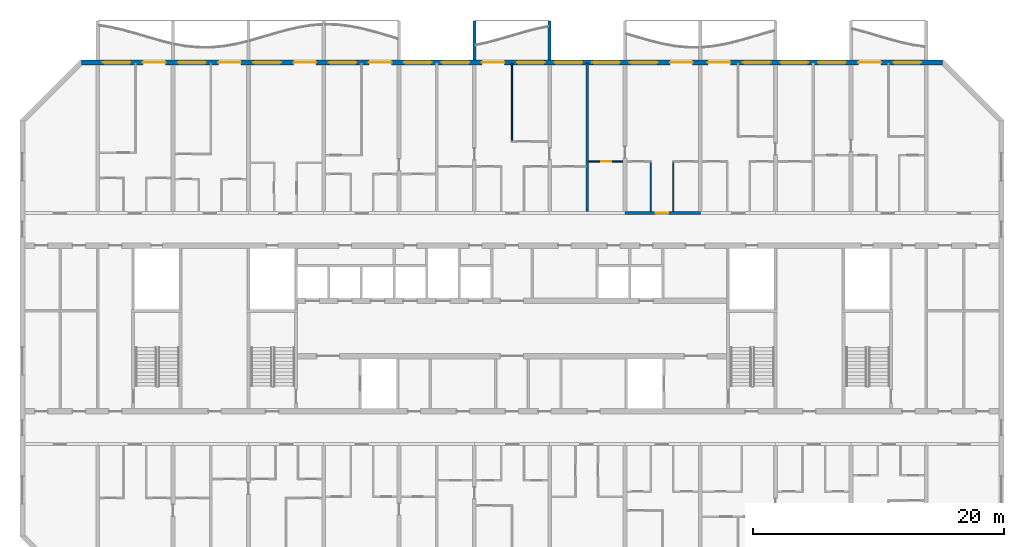
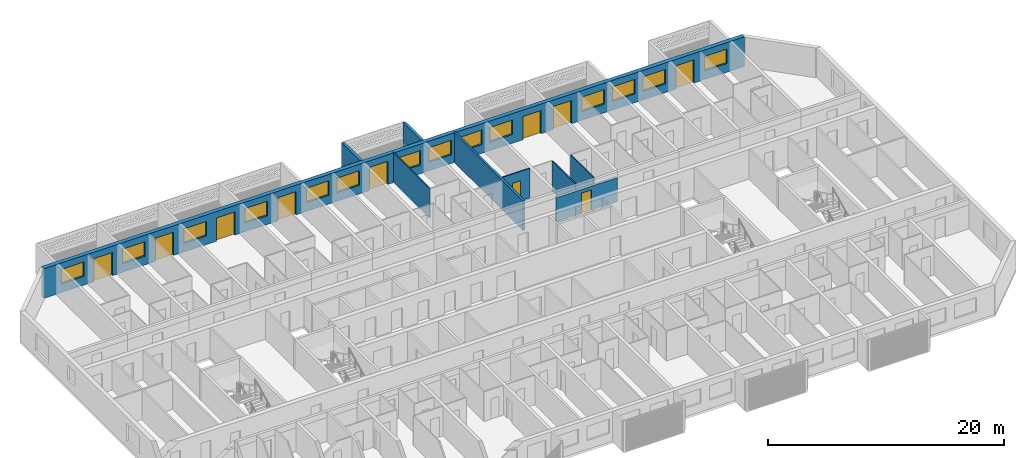
# One storey, part 10 of 32: 14 windows, 10 doors, 9 walls, 24 openings.
"""IFC4 building model written with IfcOpenShell, lengths in metres."""

from ifc_helpers import new_model, si_unit, direction, frame, frame_2d, origin, place, context, subcontext, project, spatial, polyline, rectangle, outline, extrude, source, transform, mapped, material, layer, layer_set, type_object, element, fill, save


model = new_model("IFC4")

# Units and contexts
model_context = context("Model", 3, precision=1e-05, world=origin(), true_north=direction((0.0, 1.0)))
body_context = subcontext(model_context, "Body", "Model", "MODEL_VIEW")
ifc_project = project(units=[si_unit("LENGTHUNIT", "METRE"), si_unit("AREAUNIT", "SQUARE_METRE"), si_unit("VOLUMEUNIT", "CUBIC_METRE"), si_unit("PLANEANGLEUNIT", "RADIAN"), si_unit("MASSUNIT", "GRAM", prefix="KILO")], contexts=[model_context])

# Site, building, storey
site_placement = place(None, origin())
site = spatial("IfcSite", under=ifc_project, at=site_placement, CompositionType="ELEMENT")
building_placement = place(site_placement, origin())
building = spatial("IfcBuilding", under=site, at=building_placement, Name="Poui Terraces", CompositionType="ELEMENT")
storey_placement = place(building_placement, frame((0.0, 0.0, 129.0)))
storey = spatial("IfcBuildingStorey", under=building, at=storey_placement, Name="L35", CompositionType="ELEMENT", Elevation=129.0)

# Wall, opening, door
ifc_material_1 = material(Name="Concrete 65 MPa", Category="concrete")
ifc_layer_1 = layer(ifc_material_1, 0.25)
ifc_layer_set_1 = layer_set([ifc_layer_1], Name="Concrete 65 MPa")
wall_type_1 = type_object("IfcWallType", Name="CORRIDOR WALL 250 65MPa", PredefinedType="SHEAR", material=ifc_layer_set_1)
wall_1_placement = place(storey_placement, frame((60.0, 30.39990234375, 0.0), z_axis=(0.0, 0.0, 1.0), x_axis=(1.0, 0.0, 0.0)))
wall_1 = element("IfcWall", 1, at=wall_1_placement, inside=storey, type_object=wall_type_1, Name="CORRIDOR WALL LINE E BAY 9", PredefinedType="SHEAR", context=body_context, shape_type="SweptSolid", body=[
    extrude(rectangle(XDim=6.0, YDim=0.25, at=frame_2d((3.0, 0.0))), origin(), (0.0, 0.0, 1.0), 2.469970703125),
])
opening_1_placement = place(wall_1_placement, frame((2.449951171875, 0.0, 0.0)))
opening_1 = element("IfcOpeningElement", 2, at=opening_1_placement, cuts=wall_1, Name="Opening FD30S", PredefinedType="OPENING", context=body_context, shape_type="SweptSolid", body=[
    extrude(rectangle(XDim=1.0, YDim=2.10009765625, at=frame_2d((0.5, 1.050048828125))), frame((0.0, 0.135009765625, 0.0), z_axis=(0.0, -1.0, 0.0), x_axis=(1.0, 0.0, 0.0)), (0.0, 0.0, 1.0), 0.27001953125),
])
ifc_material_2 = material(Name="Steel fire door", Category="steel")
door_type_1 = type_object("IfcDoorType", Name="FLAT ENTRANCE DOOR 1000 X 2100", OperationType="NOTDEFINED", PredefinedType="DOOR", material=ifc_material_2)
door_1_placement = place(opening_1_placement, origin())
door_1 = element("IfcDoor", 3, at=door_1_placement, inside=storey, type_object=door_type_1, Name="FLAT ENTRANCE DOOR 063", OperationType="SINGLE_SWING_LEFT", OverallHeight=2.10009765625, OverallWidth=1.0, PredefinedType="DOOR", context=body_context, shape_type="SweptSolid", body=[
    extrude(rectangle(XDim=1.0, YDim=2.10009765625, at=frame_2d((0.5, 1.050048828125))), frame((0.0, 0.02490234375, 0.0), z_axis=(0.0, -1.0, 0.0), x_axis=(1.0, 0.0, 0.0)), (0.0, 0.0, 1.0), 0.050048828125),
])
fill(opening_1, door_1)

# Wall, openings, doors, windows
ifc_material_3 = material(Name="Precast concrete 40 MPa", Category="concrete")
ifc_layer_2 = layer(ifc_material_3, 0.39990234375)
ifc_layer_set_2 = layer_set([ifc_layer_2], Name="Precast concrete 40 MPa")
wall_type_2 = type_object("IfcWallType", Name="EXTERNAL WALL 400", PredefinedType="STANDARD", material=ifc_layer_set_2)
wall_2_placement = place(storey_placement, frame((85.317138671875, 42.39990234375, 0.0), z_axis=(0.0, 0.0, 1.0), x_axis=(-1.0, 0.0, 0.0)))
wall_2 = element("IfcWall", 4, at=wall_2_placement, inside=storey, type_object=wall_type_2, Name="EXTERNAL WALL N", PredefinedType="STANDARD", context=body_context, shape_type="SweptSolid", body=[
    extrude(rectangle(XDim=68.63427734375, YDim=0.39990234375, at=frame_2d((34.317138671875, 0.0))), origin(), (0.0, 0.0, 1.0), 3.070068359375),
])
opening_2_placement = place(wall_2_placement, frame((64.71728515625, 0.0, 0.89990234375)))
opening_2 = element("IfcOpeningElement", 5, at=opening_2_placement, cuts=wall_2, Name="Opening W1", PredefinedType="OPENING", context=body_context, shape_type="SweptSolid", body=[
    extrude(rectangle(XDim=2.199951171875, YDim=1.5, at=frame_2d((1.10009765625, 0.75))), frame((0.0, 0.2099609375, 0.0), z_axis=(0.0, -1.0, 0.0), x_axis=(1.0, 0.0, 0.0)), (0.0, 0.0, 1.0), 0.419921875),
])
opening_3_placement = place(wall_2_placement, frame((61.917236328125, 0.0, 0.0)))
opening_3 = element("IfcOpeningElement", 6, at=opening_3_placement, cuts=wall_2, Name="Opening BD1", PredefinedType="OPENING", context=body_context, shape_type="SweptSolid", body=[
    extrude(rectangle(XDim=1.800048828125, YDim=2.39990234375, at=frame_2d((0.89990234375, 1.199951171875))), frame((0.0, 0.2099609375, 0.0), z_axis=(0.0, -1.0, 0.0), x_axis=(1.0, 0.0, 0.0)), (0.0, 0.0, 1.0), 0.419921875),
])
opening_4_placement = place(wall_2_placement, frame((58.71728515625, 0.0, 0.89990234375)))
opening_4 = element("IfcOpeningElement", 7, at=opening_4_placement, cuts=wall_2, Name="Opening W1", PredefinedType="OPENING", context=body_context, shape_type="SweptSolid", body=[
    extrude(rectangle(XDim=2.199951171875, YDim=1.5, at=frame_2d((1.10009765625, 0.75))), frame((0.0, 0.2099609375, 0.0), z_axis=(0.0, -1.0, 0.0), x_axis=(1.0, 0.0, 0.0)), (0.0, 0.0, 1.0), 0.419921875),
])
opening_5_placement = place(wall_2_placement, frame((55.917236328125, 0.0, 0.0)))
opening_5 = element("IfcOpeningElement", 8, at=opening_5_placement, cuts=wall_2, Name="Opening BD1", PredefinedType="OPENING", context=body_context, shape_type="SweptSolid", body=[
    extrude(rectangle(XDim=1.800048828125, YDim=2.39990234375, at=frame_2d((0.89990234375, 1.199951171875))), frame((0.0, 0.2099609375, 0.0), z_axis=(0.0, -1.0, 0.0), x_axis=(1.0, 0.0, 0.0)), (0.0, 0.0, 1.0), 0.419921875),
])
opening_6_placement = place(wall_2_placement, frame((52.71728515625, 0.0, 0.89990234375)))
opening_6 = element("IfcOpeningElement", 9, at=opening_6_placement, cuts=wall_2, Name="Opening W1", PredefinedType="OPENING", context=body_context, shape_type="SweptSolid", body=[
    extrude(rectangle(XDim=2.199951171875, YDim=1.5, at=frame_2d((1.10009765625, 0.75))), frame((0.0, 0.2099609375, 0.0), z_axis=(0.0, -1.0, 0.0), x_axis=(1.0, 0.0, 0.0)), (0.0, 0.0, 1.0), 0.419921875),
])
opening_7_placement = place(wall_2_placement, frame((49.917236328125, 0.0, 0.0)))
opening_7 = element("IfcOpeningElement", 10, at=opening_7_placement, cuts=wall_2, Name="Opening BD1", PredefinedType="OPENING", context=body_context, shape_type="SweptSolid", body=[
    extrude(rectangle(XDim=1.800048828125, YDim=2.39990234375, at=frame_2d((0.89990234375, 1.199951171875))), frame((0.0, 0.2099609375, 0.0), z_axis=(0.0, -1.0, 0.0), x_axis=(1.0, 0.0, 0.0)), (0.0, 0.0, 1.0), 0.419921875),
])
opening_8_placement = place(wall_2_placement, frame((46.71728515625, 0.0, 0.89990234375)))
opening_8 = element("IfcOpeningElement", 11, at=opening_8_placement, cuts=wall_2, Name="Opening W1", PredefinedType="OPENING", context=body_context, shape_type="SweptSolid", body=[
    extrude(rectangle(XDim=2.199951171875, YDim=1.5, at=frame_2d((1.10009765625, 0.75))), frame((0.0, 0.2099609375, 0.0), z_axis=(0.0, -1.0, 0.0), x_axis=(1.0, 0.0, 0.0)), (0.0, 0.0, 1.0), 0.419921875),
])
opening_9_placement = place(wall_2_placement, frame((43.917236328125, 0.0, 0.0)))
opening_9 = element("IfcOpeningElement", 12, at=opening_9_placement, cuts=wall_2, Name="Opening BD1", PredefinedType="OPENING", context=body_context, shape_type="SweptSolid", body=[
    extrude(rectangle(XDim=1.800048828125, YDim=2.39990234375, at=frame_2d((0.89990234375, 1.199951171875))), frame((0.0, 0.2099609375, 0.0), z_axis=(0.0, -1.0, 0.0), x_axis=(1.0, 0.0, 0.0)), (0.0, 0.0, 1.0), 0.419921875),
])
opening_10_placement = place(wall_2_placement, frame((40.71728515625, 0.0, 0.89990234375)))
opening_10 = element("IfcOpeningElement", 13, at=opening_10_placement, cuts=wall_2, Name="Opening W1", PredefinedType="OPENING", context=body_context, shape_type="SweptSolid", body=[
    extrude(rectangle(XDim=2.199951171875, YDim=1.5, at=frame_2d((1.10009765625, 0.75))), frame((0.0, 0.2099609375, 0.0), z_axis=(0.0, -1.0, 0.0), x_axis=(1.0, 0.0, 0.0)), (0.0, 0.0, 1.0), 0.419921875),
])
opening_11_placement = place(wall_2_placement, frame((37.71728515625, 0.0, 0.89990234375)))
opening_11 = element("IfcOpeningElement", 14, at=opening_11_placement, cuts=wall_2, Name="Opening W1", PredefinedType="OPENING", context=body_context, shape_type="SweptSolid", body=[
    extrude(rectangle(XDim=2.199951171875, YDim=1.5, at=frame_2d((1.10009765625, 0.75))), frame((0.0, 0.2099609375, 0.0), z_axis=(0.0, -1.0, 0.0), x_axis=(1.0, 0.0, 0.0)), (0.0, 0.0, 1.0), 0.419921875),
])
opening_12_placement = place(wall_2_placement, frame((34.917236328125, 0.0, 0.0)))
opening_12 = element("IfcOpeningElement", 15, at=opening_12_placement, cuts=wall_2, Name="Opening BD1", PredefinedType="OPENING", context=body_context, shape_type="SweptSolid", body=[
    extrude(rectangle(XDim=1.800048828125, YDim=2.39990234375, at=frame_2d((0.89990234375, 1.199951171875))), frame((0.0, 0.2099609375, 0.0), z_axis=(0.0, -1.0, 0.0), x_axis=(1.0, 0.0, 0.0)), (0.0, 0.0, 1.0), 0.419921875),
])
opening_13_placement = place(wall_2_placement, frame((31.71728515625, 0.0, 0.89990234375)))
opening_13 = element("IfcOpeningElement", 16, at=opening_13_placement, cuts=wall_2, Name="Opening W1", PredefinedType="OPENING", context=body_context, shape_type="SweptSolid", body=[
    extrude(rectangle(XDim=2.199951171875, YDim=1.5, at=frame_2d((1.10009765625, 0.75))), frame((0.0, 0.2099609375, 0.0), z_axis=(0.0, -1.0, 0.0), x_axis=(1.0, 0.0, 0.0)), (0.0, 0.0, 1.0), 0.419921875),
])
opening_14_placement = place(wall_2_placement, frame((28.71728515625, 0.0, 0.89990234375)))
opening_14 = element("IfcOpeningElement", 17, at=opening_14_placement, cuts=wall_2, Name="Opening W1", PredefinedType="OPENING", context=body_context, shape_type="SweptSolid", body=[
    extrude(rectangle(XDim=2.199951171875, YDim=1.5, at=frame_2d((1.10009765625, 0.75))), frame((0.0, 0.2099609375, 0.0), z_axis=(0.0, -1.0, 0.0), x_axis=(1.0, 0.0, 0.0)), (0.0, 0.0, 1.0), 0.419921875),
])
opening_15_placement = place(wall_2_placement, frame((25.71728515625, 0.0, 0.89990234375)))
opening_15 = element("IfcOpeningElement", 18, at=opening_15_placement, cuts=wall_2, Name="Opening W1", PredefinedType="OPENING", context=body_context, shape_type="SweptSolid", body=[
    extrude(rectangle(XDim=2.199951171875, YDim=1.5, at=frame_2d((1.10009765625, 0.75))), frame((0.0, 0.2099609375, 0.0), z_axis=(0.0, -1.0, 0.0), x_axis=(1.0, 0.0, 0.0)), (0.0, 0.0, 1.0), 0.419921875),
])
opening_16_placement = place(wall_2_placement, frame((22.71728515625, 0.0, 0.89990234375)))
opening_16 = element("IfcOpeningElement", 19, at=opening_16_placement, cuts=wall_2, Name="Opening W1", PredefinedType="OPENING", context=body_context, shape_type="SweptSolid", body=[
    extrude(rectangle(XDim=2.199951171875, YDim=1.5, at=frame_2d((1.10009765625, 0.75))), frame((0.0, 0.2099609375, 0.0), z_axis=(0.0, -1.0, 0.0), x_axis=(1.0, 0.0, 0.0)), (0.0, 0.0, 1.0), 0.419921875),
])
opening_17_placement = place(wall_2_placement, frame((19.917236328125, 0.0, 0.0)))
opening_17 = element("IfcOpeningElement", 20, at=opening_17_placement, cuts=wall_2, Name="Opening BD1", PredefinedType="OPENING", context=body_context, shape_type="SweptSolid", body=[
    extrude(rectangle(XDim=1.800048828125, YDim=2.39990234375, at=frame_2d((0.89990234375, 1.199951171875))), frame((0.0, 0.2099609375, 0.0), z_axis=(0.0, -1.0, 0.0), x_axis=(1.0, 0.0, 0.0)), (0.0, 0.0, 1.0), 0.419921875),
])
opening_18_placement = place(wall_2_placement, frame((16.917236328125, 0.0, 0.0)))
opening_18 = element("IfcOpeningElement", 21, at=opening_18_placement, cuts=wall_2, Name="Opening BD1", PredefinedType="OPENING", context=body_context, shape_type="SweptSolid", body=[
    extrude(rectangle(XDim=1.800048828125, YDim=2.39990234375, at=frame_2d((0.89990234375, 1.199951171875))), frame((0.0, 0.2099609375, 0.0), z_axis=(0.0, -1.0, 0.0), x_axis=(1.0, 0.0, 0.0)), (0.0, 0.0, 1.0), 0.419921875),
])
opening_19_placement = place(wall_2_placement, frame((13.71728515625, 0.0, 0.89990234375)))
opening_19 = element("IfcOpeningElement", 22, at=opening_19_placement, cuts=wall_2, Name="Opening W1", PredefinedType="OPENING", context=body_context, shape_type="SweptSolid", body=[
    extrude(rectangle(XDim=2.199951171875, YDim=1.5, at=frame_2d((1.10009765625, 0.75))), frame((0.0, 0.2099609375, 0.0), z_axis=(0.0, -1.0, 0.0), x_axis=(1.0, 0.0, 0.0)), (0.0, 0.0, 1.0), 0.419921875),
])
opening_20_placement = place(wall_2_placement, frame((10.71728515625, 0.0, 0.89990234375)))
opening_20 = element("IfcOpeningElement", 23, at=opening_20_placement, cuts=wall_2, Name="Opening W1", PredefinedType="OPENING", context=body_context, shape_type="SweptSolid", body=[
    extrude(rectangle(XDim=2.199951171875, YDim=1.5, at=frame_2d((1.10009765625, 0.75))), frame((0.0, 0.2099609375, 0.0), z_axis=(0.0, -1.0, 0.0), x_axis=(1.0, 0.0, 0.0)), (0.0, 0.0, 1.0), 0.419921875),
])
opening_21_placement = place(wall_2_placement, frame((7.71728515625, 0.0, 0.89990234375)))
opening_21 = element("IfcOpeningElement", 24, at=opening_21_placement, cuts=wall_2, Name="Opening W1", PredefinedType="OPENING", context=body_context, shape_type="SweptSolid", body=[
    extrude(rectangle(XDim=2.199951171875, YDim=1.5, at=frame_2d((1.10009765625, 0.75))), frame((0.0, 0.2099609375, 0.0), z_axis=(0.0, -1.0, 0.0), x_axis=(1.0, 0.0, 0.0)), (0.0, 0.0, 1.0), 0.419921875),
])
opening_22_placement = place(wall_2_placement, frame((4.917236328125, 0.0, 0.0)))
opening_22 = element("IfcOpeningElement", 25, at=opening_22_placement, cuts=wall_2, Name="Opening BD1", PredefinedType="OPENING", context=body_context, shape_type="SweptSolid", body=[
    extrude(rectangle(XDim=1.800048828125, YDim=2.39990234375, at=frame_2d((0.89990234375, 1.199951171875))), frame((0.0, 0.2099609375, 0.0), z_axis=(0.0, -1.0, 0.0), x_axis=(1.0, 0.0, 0.0)), (0.0, 0.0, 1.0), 0.419921875),
])
opening_23_placement = place(wall_2_placement, frame((1.71728515625, 0.0, 0.89990234375)))
opening_23 = element("IfcOpeningElement", 26, at=opening_23_placement, cuts=wall_2, Name="Opening W1", PredefinedType="OPENING", context=body_context, shape_type="SweptSolid", body=[
    extrude(rectangle(XDim=2.199951171875, YDim=1.5, at=frame_2d((1.10009765625, 0.75))), frame((0.0, 0.2099609375, 0.0), z_axis=(0.0, -1.0, 0.0), x_axis=(1.0, 0.0, 0.0)), (0.0, 0.0, 1.0), 0.419921875),
])
ifc_material_4 = material(Name="Clear glass in aluminium frame", Category="aluminium")
door_type_2 = type_object("IfcDoorType", Name="BALCONY DOOR 1800X2400", OperationType="DOUBLE_DOOR_SLIDING", PredefinedType="DOOR", material=ifc_material_4)
door_2_placement = place(opening_3_placement, origin())
door_2 = element("IfcDoor", 27, at=door_2_placement, inside=storey, type_object=door_type_2, Name="BD1 BALCONY DOOR", OperationType="DOUBLE_DOOR_SLIDING", OverallHeight=2.39990234375, OverallWidth=1.800048828125, PredefinedType="DOOR", context=body_context, shape_type="SweptSolid", body=[
    extrude(rectangle(XDim=1.800048828125, YDim=2.39990234375, at=frame_2d((0.89990234375, 1.199951171875))), frame((0.0, 0.02490234375, 0.0), z_axis=(0.0, -1.0, 0.0), x_axis=(1.0, 0.0, 0.0)), (0.0, 0.0, 1.0), 0.050048828125),
])
fill(opening_3, door_2)
door_3_placement = place(opening_5_placement, origin())
door_3 = element("IfcDoor", 28, at=door_3_placement, inside=storey, type_object=door_type_2, Name="BD1 BALCONY DOOR", OperationType="DOUBLE_DOOR_SLIDING", OverallHeight=2.39990234375, OverallWidth=1.800048828125, PredefinedType="DOOR", context=body_context, shape_type="SweptSolid", body=[
    extrude(rectangle(XDim=1.800048828125, YDim=2.39990234375, at=frame_2d((0.89990234375, 1.199951171875))), frame((0.0, 0.02490234375, 0.0), z_axis=(0.0, -1.0, 0.0), x_axis=(1.0, 0.0, 0.0)), (0.0, 0.0, 1.0), 0.050048828125),
])
fill(opening_5, door_3)
door_4_placement = place(opening_7_placement, origin())
door_4 = element("IfcDoor", 29, at=door_4_placement, inside=storey, type_object=door_type_2, Name="BD1 BALCONY DOOR", OperationType="DOUBLE_DOOR_SLIDING", OverallHeight=2.39990234375, OverallWidth=1.800048828125, PredefinedType="DOOR", context=body_context, shape_type="SweptSolid", body=[
    extrude(rectangle(XDim=1.800048828125, YDim=2.39990234375, at=frame_2d((0.89990234375, 1.199951171875))), frame((0.0, 0.02490234375, 0.0), z_axis=(0.0, -1.0, 0.0), x_axis=(1.0, 0.0, 0.0)), (0.0, 0.0, 1.0), 0.050048828125),
])
fill(opening_7, door_4)
door_5_placement = place(opening_9_placement, origin())
door_5 = element("IfcDoor", 30, at=door_5_placement, inside=storey, type_object=door_type_2, Name="BD1 BALCONY DOOR", OperationType="DOUBLE_DOOR_SLIDING", OverallHeight=2.39990234375, OverallWidth=1.800048828125, PredefinedType="DOOR", context=body_context, shape_type="SweptSolid", body=[
    extrude(rectangle(XDim=1.800048828125, YDim=2.39990234375, at=frame_2d((0.89990234375, 1.199951171875))), frame((0.0, 0.02490234375, 0.0), z_axis=(0.0, -1.0, 0.0), x_axis=(1.0, 0.0, 0.0)), (0.0, 0.0, 1.0), 0.050048828125),
])
fill(opening_9, door_5)
door_6_placement = place(opening_12_placement, origin())
door_6 = element("IfcDoor", 31, at=door_6_placement, inside=storey, type_object=door_type_2, Name="BD1 BALCONY DOOR", OperationType="DOUBLE_DOOR_SLIDING", OverallHeight=2.39990234375, OverallWidth=1.800048828125, PredefinedType="DOOR", context=body_context, shape_type="SweptSolid", body=[
    extrude(rectangle(XDim=1.800048828125, YDim=2.39990234375, at=frame_2d((0.89990234375, 1.199951171875))), frame((0.0, 0.02490234375, 0.0), z_axis=(0.0, -1.0, 0.0), x_axis=(1.0, 0.0, 0.0)), (0.0, 0.0, 1.0), 0.050048828125),
])
fill(opening_12, door_6)
door_7_placement = place(opening_17_placement, origin())
door_7 = element("IfcDoor", 32, at=door_7_placement, inside=storey, type_object=door_type_2, Name="BD1 BALCONY DOOR", OperationType="DOUBLE_DOOR_SLIDING", OverallHeight=2.39990234375, OverallWidth=1.800048828125, PredefinedType="DOOR", context=body_context, shape_type="SweptSolid", body=[
    extrude(rectangle(XDim=1.800048828125, YDim=2.39990234375, at=frame_2d((0.89990234375, 1.199951171875))), frame((0.0, 0.02490234375, 0.0), z_axis=(0.0, -1.0, 0.0), x_axis=(1.0, 0.0, 0.0)), (0.0, 0.0, 1.0), 0.050048828125),
])
fill(opening_17, door_7)
door_8_placement = place(opening_18_placement, origin())
door_8 = element("IfcDoor", 33, at=door_8_placement, inside=storey, type_object=door_type_2, Name="BD1 BALCONY DOOR", OperationType="DOUBLE_DOOR_SLIDING", OverallHeight=2.39990234375, OverallWidth=1.800048828125, PredefinedType="DOOR", context=body_context, shape_type="SweptSolid", body=[
    extrude(rectangle(XDim=1.800048828125, YDim=2.39990234375, at=frame_2d((0.89990234375, 1.199951171875))), frame((0.0, 0.02490234375, 0.0), z_axis=(0.0, -1.0, 0.0), x_axis=(1.0, 0.0, 0.0)), (0.0, 0.0, 1.0), 0.050048828125),
])
fill(opening_18, door_8)
door_9_placement = place(opening_22_placement, origin())
door_9 = element("IfcDoor", 34, at=door_9_placement, inside=storey, type_object=door_type_2, Name="BD1 BALCONY DOOR", OperationType="DOUBLE_DOOR_SLIDING", OverallHeight=2.39990234375, OverallWidth=1.800048828125, PredefinedType="DOOR", context=body_context, shape_type="SweptSolid", body=[
    extrude(rectangle(XDim=1.800048828125, YDim=2.39990234375, at=frame_2d((0.89990234375, 1.199951171875))), frame((0.0, 0.02490234375, 0.0), z_axis=(0.0, -1.0, 0.0), x_axis=(1.0, 0.0, 0.0)), (0.0, 0.0, 1.0), 0.050048828125),
])
fill(opening_22, door_9)
window_type = type_object("IfcWindowType", Name="WINDOW 2200X1500", PartitioningType="DOUBLE_PANEL_HORIZONTAL", PredefinedType="WINDOW", material=ifc_material_4)
window_1_placement = place(opening_2_placement, origin())
window_1 = element("IfcWindow", 35, at=window_1_placement, inside=storey, type_object=window_type, Name="W1 WINDOW", OverallHeight=1.5, OverallWidth=2.199951171875, PartitioningType="DOUBLE_PANEL_HORIZONTAL", PredefinedType="WINDOW", context=body_context, shape_type="SweptSolid", body=[
    extrude(rectangle(XDim=2.199951171875, YDim=1.5, at=frame_2d((1.10009765625, 0.75))), frame((0.0, 0.030029296875, 0.0), z_axis=(0.0, -1.0, 0.0), x_axis=(1.0, 0.0, 0.0)), (0.0, 0.0, 1.0), 0.06005859375),
])
fill(opening_2, window_1)
window_2_placement = place(opening_4_placement, origin())
window_2 = element("IfcWindow", 36, at=window_2_placement, inside=storey, type_object=window_type, Name="W1 WINDOW", OverallHeight=1.5, OverallWidth=2.199951171875, PartitioningType="DOUBLE_PANEL_HORIZONTAL", PredefinedType="WINDOW", context=body_context, shape_type="SweptSolid", body=[
    extrude(rectangle(XDim=2.199951171875, YDim=1.5, at=frame_2d((1.10009765625, 0.75))), frame((0.0, 0.030029296875, 0.0), z_axis=(0.0, -1.0, 0.0), x_axis=(1.0, 0.0, 0.0)), (0.0, 0.0, 1.0), 0.06005859375),
])
fill(opening_4, window_2)
window_3_placement = place(opening_6_placement, origin())
window_3 = element("IfcWindow", 37, at=window_3_placement, inside=storey, type_object=window_type, Name="W1 WINDOW", OverallHeight=1.5, OverallWidth=2.199951171875, PartitioningType="DOUBLE_PANEL_HORIZONTAL", PredefinedType="WINDOW", context=body_context, shape_type="SweptSolid", body=[
    extrude(rectangle(XDim=2.199951171875, YDim=1.5, at=frame_2d((1.10009765625, 0.75))), frame((0.0, 0.030029296875, 0.0), z_axis=(0.0, -1.0, 0.0), x_axis=(1.0, 0.0, 0.0)), (0.0, 0.0, 1.0), 0.06005859375),
])
fill(opening_6, window_3)
window_4_placement = place(opening_8_placement, origin())
window_4 = element("IfcWindow", 38, at=window_4_placement, inside=storey, type_object=window_type, Name="W1 WINDOW", OverallHeight=1.5, OverallWidth=2.199951171875, PartitioningType="DOUBLE_PANEL_HORIZONTAL", PredefinedType="WINDOW", context=body_context, shape_type="SweptSolid", body=[
    extrude(rectangle(XDim=2.199951171875, YDim=1.5, at=frame_2d((1.10009765625, 0.75))), frame((0.0, 0.030029296875, 0.0), z_axis=(0.0, -1.0, 0.0), x_axis=(1.0, 0.0, 0.0)), (0.0, 0.0, 1.0), 0.06005859375),
])
fill(opening_8, window_4)
window_5_placement = place(opening_10_placement, origin())
window_5 = element("IfcWindow", 39, at=window_5_placement, inside=storey, type_object=window_type, Name="W1 WINDOW", OverallHeight=1.5, OverallWidth=2.199951171875, PartitioningType="DOUBLE_PANEL_HORIZONTAL", PredefinedType="WINDOW", context=body_context, shape_type="SweptSolid", body=[
    extrude(rectangle(XDim=2.199951171875, YDim=1.5, at=frame_2d((1.10009765625, 0.75))), frame((0.0, 0.030029296875, 0.0), z_axis=(0.0, -1.0, 0.0), x_axis=(1.0, 0.0, 0.0)), (0.0, 0.0, 1.0), 0.06005859375),
])
fill(opening_10, window_5)
window_6_placement = place(opening_11_placement, origin())
window_6 = element("IfcWindow", 40, at=window_6_placement, inside=storey, type_object=window_type, Name="W1 WINDOW", OverallHeight=1.5, OverallWidth=2.199951171875, PartitioningType="DOUBLE_PANEL_HORIZONTAL", PredefinedType="WINDOW", context=body_context, shape_type="SweptSolid", body=[
    extrude(rectangle(XDim=2.199951171875, YDim=1.5, at=frame_2d((1.10009765625, 0.75))), frame((0.0, 0.030029296875, 0.0), z_axis=(0.0, -1.0, 0.0), x_axis=(1.0, 0.0, 0.0)), (0.0, 0.0, 1.0), 0.06005859375),
])
fill(opening_11, window_6)
window_7_placement = place(opening_13_placement, origin())
window_7 = element("IfcWindow", 41, at=window_7_placement, inside=storey, type_object=window_type, Name="W1 WINDOW", OverallHeight=1.5, OverallWidth=2.199951171875, PartitioningType="DOUBLE_PANEL_HORIZONTAL", PredefinedType="WINDOW", context=body_context, shape_type="SweptSolid", body=[
    extrude(rectangle(XDim=2.199951171875, YDim=1.5, at=frame_2d((1.10009765625, 0.75))), frame((0.0, 0.030029296875, 0.0), z_axis=(0.0, -1.0, 0.0), x_axis=(1.0, 0.0, 0.0)), (0.0, 0.0, 1.0), 0.06005859375),
])
fill(opening_13, window_7)
window_8_placement = place(opening_14_placement, origin())
window_8 = element("IfcWindow", 42, at=window_8_placement, inside=storey, type_object=window_type, Name="W1 WINDOW", OverallHeight=1.5, OverallWidth=2.199951171875, PartitioningType="DOUBLE_PANEL_HORIZONTAL", PredefinedType="WINDOW", context=body_context, shape_type="SweptSolid", body=[
    extrude(rectangle(XDim=2.199951171875, YDim=1.5, at=frame_2d((1.10009765625, 0.75))), frame((0.0, 0.030029296875, 0.0), z_axis=(0.0, -1.0, 0.0), x_axis=(1.0, 0.0, 0.0)), (0.0, 0.0, 1.0), 0.06005859375),
])
fill(opening_14, window_8)
window_9_placement = place(opening_15_placement, origin())
window_9 = element("IfcWindow", 43, at=window_9_placement, inside=storey, type_object=window_type, Name="W1 WINDOW", OverallHeight=1.5, OverallWidth=2.199951171875, PartitioningType="DOUBLE_PANEL_HORIZONTAL", PredefinedType="WINDOW", context=body_context, shape_type="SweptSolid", body=[
    extrude(rectangle(XDim=2.199951171875, YDim=1.5, at=frame_2d((1.10009765625, 0.75))), frame((0.0, 0.030029296875, 0.0), z_axis=(0.0, -1.0, 0.0), x_axis=(1.0, 0.0, 0.0)), (0.0, 0.0, 1.0), 0.06005859375),
])
fill(opening_15, window_9)
window_10_placement = place(opening_16_placement, origin())
window_10 = element("IfcWindow", 44, at=window_10_placement, inside=storey, type_object=window_type, Name="W1 WINDOW", OverallHeight=1.5, OverallWidth=2.199951171875, PartitioningType="DOUBLE_PANEL_HORIZONTAL", PredefinedType="WINDOW", context=body_context, shape_type="SweptSolid", body=[
    extrude(rectangle(XDim=2.199951171875, YDim=1.5, at=frame_2d((1.10009765625, 0.75))), frame((0.0, 0.030029296875, 0.0), z_axis=(0.0, -1.0, 0.0), x_axis=(1.0, 0.0, 0.0)), (0.0, 0.0, 1.0), 0.06005859375),
])
fill(opening_16, window_10)
window_11_placement = place(opening_19_placement, origin())
window_11 = element("IfcWindow", 45, at=window_11_placement, inside=storey, type_object=window_type, Name="W1 WINDOW", OverallHeight=1.5, OverallWidth=2.199951171875, PartitioningType="DOUBLE_PANEL_HORIZONTAL", PredefinedType="WINDOW", context=body_context, shape_type="SweptSolid", body=[
    extrude(rectangle(XDim=2.199951171875, YDim=1.5, at=frame_2d((1.10009765625, 0.75))), frame((0.0, 0.030029296875, 0.0), z_axis=(0.0, -1.0, 0.0), x_axis=(1.0, 0.0, 0.0)), (0.0, 0.0, 1.0), 0.06005859375),
])
fill(opening_19, window_11)
window_12_placement = place(opening_20_placement, origin())
window_12 = element("IfcWindow", 46, at=window_12_placement, inside=storey, type_object=window_type, Name="W1 WINDOW", OverallHeight=1.5, OverallWidth=2.199951171875, PartitioningType="DOUBLE_PANEL_HORIZONTAL", PredefinedType="WINDOW", context=body_context, shape_type="SweptSolid", body=[
    extrude(rectangle(XDim=2.199951171875, YDim=1.5, at=frame_2d((1.10009765625, 0.75))), frame((0.0, 0.030029296875, 0.0), z_axis=(0.0, -1.0, 0.0), x_axis=(1.0, 0.0, 0.0)), (0.0, 0.0, 1.0), 0.06005859375),
])
fill(opening_20, window_12)
window_13_placement = place(opening_21_placement, origin())
window_13 = element("IfcWindow", 47, at=window_13_placement, inside=storey, type_object=window_type, Name="W1 WINDOW", OverallHeight=1.5, OverallWidth=2.199951171875, PartitioningType="DOUBLE_PANEL_HORIZONTAL", PredefinedType="WINDOW", context=body_context, shape_type="SweptSolid", body=[
    extrude(rectangle(XDim=2.199951171875, YDim=1.5, at=frame_2d((1.10009765625, 0.75))), frame((0.0, 0.030029296875, 0.0), z_axis=(0.0, -1.0, 0.0), x_axis=(1.0, 0.0, 0.0)), (0.0, 0.0, 1.0), 0.06005859375),
])
fill(opening_21, window_13)
window_14_placement = place(opening_23_placement, origin())
window_14 = element("IfcWindow", 48, at=window_14_placement, inside=storey, type_object=window_type, Name="W1 WINDOW", OverallHeight=1.5, OverallWidth=2.199951171875, PartitioningType="DOUBLE_PANEL_HORIZONTAL", PredefinedType="WINDOW", context=body_context, shape_type="SweptSolid", body=[
    extrude(rectangle(XDim=2.199951171875, YDim=1.5, at=frame_2d((1.10009765625, 0.75))), frame((0.0, 0.030029296875, 0.0), z_axis=(0.0, -1.0, 0.0), x_axis=(1.0, 0.0, 0.0)), (0.0, 0.0, 1.0), 0.06005859375),
])
fill(opening_23, window_14)

# Wall, opening, door
ifc_material_5 = material(Name="Plasterboard partition")
ifc_layer_3 = layer(ifc_material_5, 0.10009765625)
ifc_layer_set_3 = layer_set([ifc_layer_3], Name="Plasterboard partition")
wall_type_3 = type_object("IfcWallType", Name="FLAT PARTITION 100", PredefinedType="PARTITIONING", material=ifc_layer_set_3)
wall_3_placement = place(storey_placement, frame((57.10009765625, 34.5, 0.0), z_axis=(0.0, 0.0, 1.0), x_axis=(1.0, 0.0, 0.0)))
wall_3 = element("IfcWall", 49, at=wall_3_placement, inside=storey, type_object=wall_type_3, Name="FLAT PARTITION 100", PredefinedType="PARTITIONING", context=body_context, shape_type="SweptSolid", body=[
    extrude(rectangle(XDim=2.739990234375, YDim=0.10009765625, at=frame_2d((1.3701171875, 0.0))), origin(), (0.0, 0.0, 1.0), 3.070068359375),
])
opening_24_placement = place(wall_3_placement, frame((1.0, 0.0, 0.0)))
opening_24 = element("IfcOpeningElement", 50, at=opening_24_placement, cuts=wall_3, Name="Opening D80", PredefinedType="OPENING", context=body_context, shape_type="SweptSolid", body=[
    extrude(rectangle(XDim=0.800048828125, YDim=2.10009765625, at=frame_2d((0.39990234375, 1.050048828125))), frame((0.0, 0.06005859375, 0.0), z_axis=(0.0, -1.0, 0.0), x_axis=(1.0, 0.0, 0.0)), (0.0, 0.0, 1.0), 0.1201171875),
])
ifc_material_6 = material(Name="Solid core timber door", Category="wood")
door_type_3 = type_object("IfcDoorType", Name="BATHROOM, LAUNDRY AND STORE DOOR 800 X 2100", OperationType="NOTDEFINED", PredefinedType="DOOR", material=ifc_material_6)
door_10_placement = place(opening_24_placement, frame((0.800048828125, 0.0, 0.0), z_axis=(0.0, 0.0, 1.0), x_axis=(-1.0, 0.0, 0.0)))
door_10 = element("IfcDoor", 51, at=door_10_placement, inside=storey, type_object=door_type_3, Name="BATHROOM, LAUNDRY AND STORE DOOR 060", OperationType="SINGLE_SWING_RIGHT", OverallHeight=2.10009765625, OverallWidth=0.800048828125, PredefinedType="DOOR", context=body_context, shape_type="SweptSolid", body=[
    extrude(rectangle(XDim=0.800048828125, YDim=2.10009765625, at=frame_2d((0.39990234375, 1.050048828125))), frame((0.0, 0.02490234375, 0.0), z_axis=(0.0, -1.0, 0.0), x_axis=(1.0, 0.0, 0.0)), (0.0, 0.0, 1.0), 0.050048828125),
])
fill(opening_24, door_10)

# Walls
wall_4_placement = place(storey_placement, frame((51.0, 36.14990234375, 0.0), z_axis=(0.0, 0.0, 1.0), x_axis=(0.0, 1.0, 0.0)))
element("IfcWall", 52, at=wall_4_placement, inside=storey, type_object=wall_type_3, Name="FLAT PARTITION 100", PredefinedType="PARTITIONING", context=body_context, shape_type="SweptSolid", body=[
    extrude(rectangle(XDim=6.190185546875, YDim=0.10009765625, at=frame_2d((3.09521484375, 0.0))), origin(), (0.0, 0.0, 1.0), 3.070068359375),
])
for number, where, z_axis, x_axis, name in (
    (53, (62.050048828125, 30.534912109375, 0.0), (0.0, 0.0, 1.0), (0.0, 1.0, 0.0), "FLAT PARTITION 100"),
    (54, (63.85009765625, 30.534912109375, 0.0), (0.0, 0.0, 1.0), (0.0, 1.0, 0.0), "FLAT PARTITION 100"),
):
    element("IfcWall", number, at=place(storey_placement, frame(where, z_axis=z_axis, x_axis=x_axis)), inside=storey, type_object=wall_type_3, Name=name, PredefinedType="PARTITIONING", context=body_context, shape_type="SweptSolid", body=[
        extrude(rectangle(XDim=3.9150390625, YDim=0.10009765625, at=frame_2d((1.95751953125, 0.0))), origin(), (0.0, 0.0, 1.0), 3.070068359375),
    ])
ifc_material_7 = material(Name="Fire-rated masonry wall", Category="masonry")
ifc_layer_4 = layer(ifc_material_7, 0.199951171875)
ifc_layer_set_4 = layer_set([ifc_layer_4], Name="Fire-rated masonry wall")
wall_type_4 = type_object("IfcWallType", Name="FLAT PARTY WALL 200", PredefinedType="PARTITIONING", material=ifc_layer_set_4)
wall_5_placement = place(storey_placement, frame((57.0, 30.534912109375, 0.0), z_axis=(0.0, 0.0, 1.0), x_axis=(0.0, 1.0, 0.0)))
element("IfcWall", 55, at=wall_5_placement, inside=storey, type_object=wall_type_4, Name="FLAT PARTY WALL 200", PredefinedType="PARTITIONING", context=body_context, shape_type="SweptSolid", body=[
    extrude(rectangle(XDim=11.80517578125, YDim=0.199951171875, at=frame_2d((5.902587890625, 0.0))), origin(), (0.0, 0.0, 1.0), 3.070068359375),
])
ifc_layer_5 = layer(ifc_material_3, 0.25)
ifc_layer_set_5 = layer_set([ifc_layer_5], Name="Precast concrete 40 MPa")
wall_type_5 = type_object("IfcWallType", Name="BALCONY FIN 250", PredefinedType="STANDARD", material=ifc_layer_set_5)
shared_shape = source(origin(), body_context, "Body", "SweptSolid", [
    extrude(outline(polyline([(0.0, 0.0), (0.25, 0.0), (0.25, 3.099853515625), (0.0, 3.099853515625), (0.0, 0.0)])), origin(), (0.0, 0.0, 1.0), 3.10009765625),
])
for number, where, name in (
    (56, (47.875, 42.60009765625, 0.0), "BALCONY FIN"),
    (57, (53.875, 42.60009765625, 0.0), "BALCONY FIN"),
):
    element("IfcWall", number, at=place(storey_placement, frame(where)), inside=storey, type_object=wall_type_5, Name=name, PredefinedType="STANDARD", context=body_context, shape_type="MappedRepresentation", body=[
        mapped(shared_shape, transform((0.0, 0.0, 0.0))),
    ])

save(model, "model.ifc")
